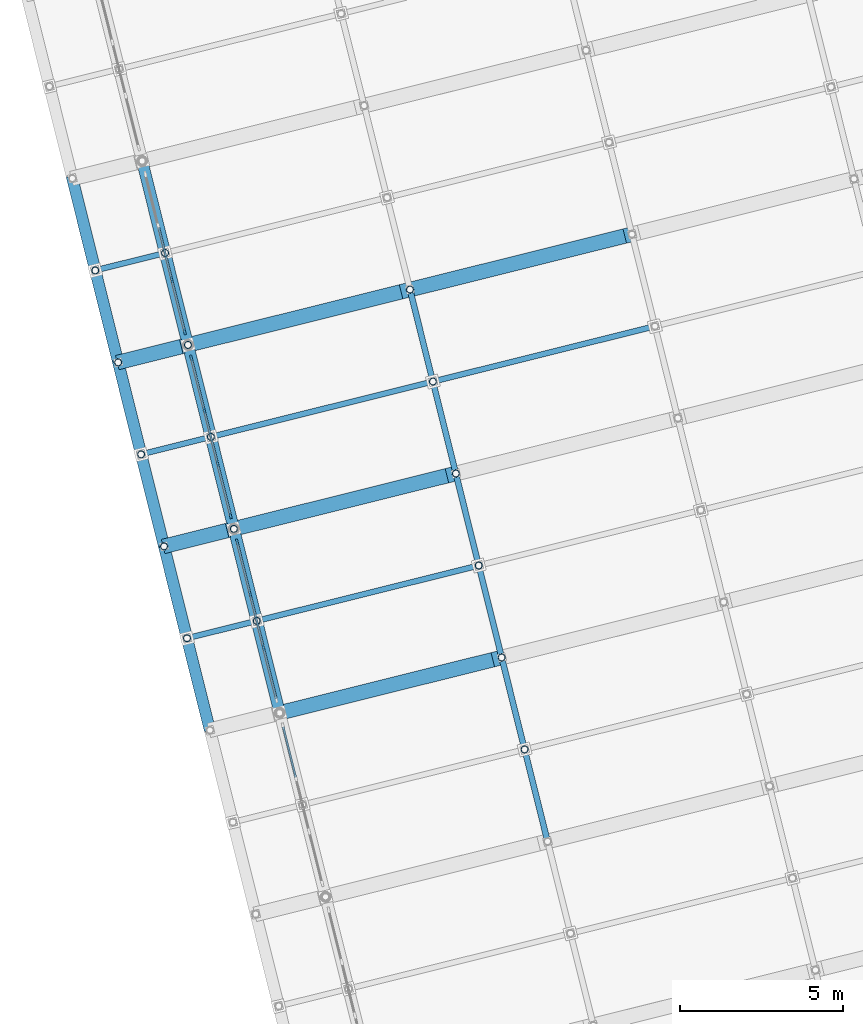
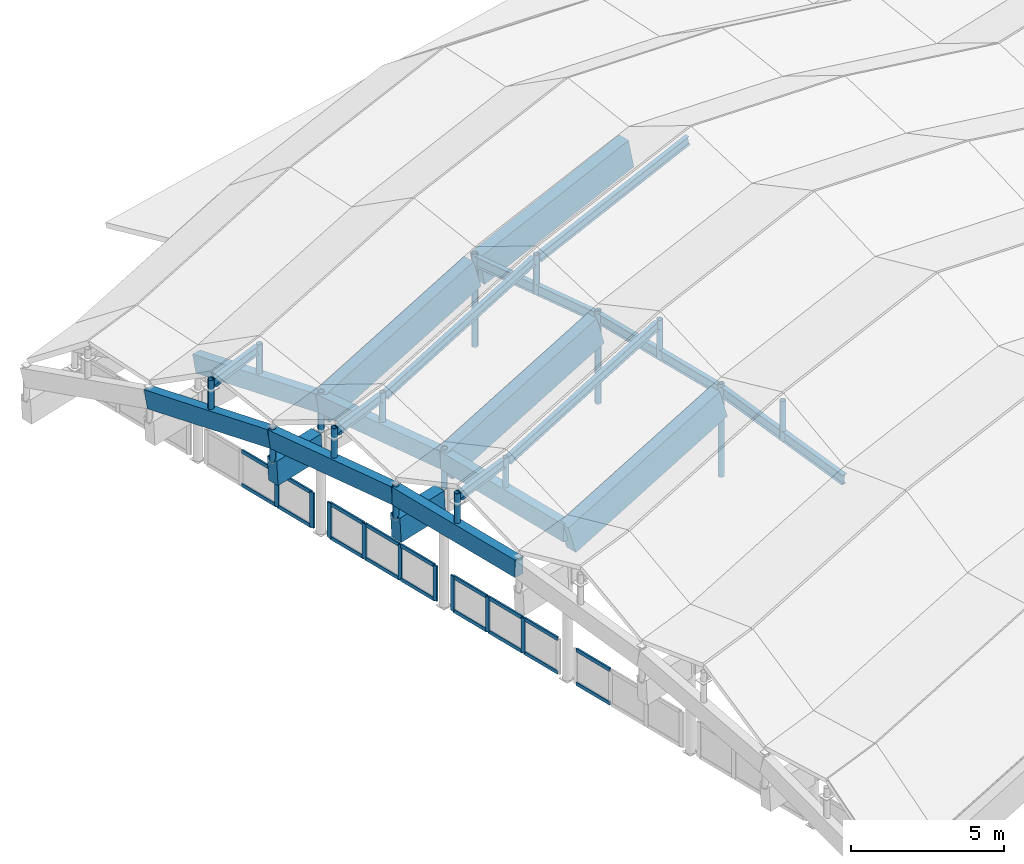
# One storey, part 20 of 65: 43 members, 21 beams, 4 elements without a shape of their own.
"""IFC4 building model written with IfcOpenShell, lengths in metres."""

from ifc_helpers import new_model, si_unit, direction, frame, origin, origin_2d, place, context, subcontext, project, spatial, rectangle, hollow_circle, i_section, extrude, material, material_profile, profile_set, type_object, element, aggregate, save


model = new_model("IFC4")

# Units and contexts
model_context = context("Model", 3, precision=1e-05, world=origin(), true_north=direction((0.0, 1.0)))
body_context = subcontext(model_context, "Body", "Model", "MODEL_VIEW")
ifc_project = project(units=[si_unit("LENGTHUNIT", "METRE"), si_unit("AREAUNIT", "SQUARE_METRE"), si_unit("VOLUMEUNIT", "CUBIC_METRE"), si_unit("PLANEANGLEUNIT", "RADIAN"), si_unit("MASSUNIT", "GRAM", prefix="KILO")], contexts=[model_context])

# Site, building, storey
site_placement = place(None, origin())
site = spatial("IfcSite", under=ifc_project, at=site_placement, CompositionType="ELEMENT")
building_placement = place(site_placement, origin())
building = spatial("IfcBuilding", under=site, at=building_placement, Name="Cinderway Yard Community Centre", CompositionType="ELEMENT")
storey_placement = place(building_placement, frame((0.0, 0.0, 24.300048828125)))
storey = spatial("IfcBuildingStorey", under=building, at=storey_placement, Name="RF", CompositionType="ELEMENT", Elevation=24.300048828125)

# Curtain wall, members
ifc_material_1 = material(Name="Aluminium 6063-T6", Category="aluminium")
curtain_wall_type = type_object("IfcCurtainWallType", Name="ENV-CW-TYPE-11", PredefinedType="USERDEFINED", material=ifc_material_1)
curtain_wall_1_placement = place(storey_placement, origin())
curtain_wall_1 = element("IfcCurtainWall", 1, at=curtain_wall_1_placement, inside=storey, type_object=curtain_wall_type, Name="Main Hall West Clerestory Curtain Wall ENV-CW-RF-HS-0040", ObjectType="GLAZED CURTAIN WALL", PredefinedType="USERDEFINED")
ifc_material_profile_1 = material_profile(ifc_material_1, rectangle(XDim=0.06494140625, YDim=0.179931640625, at=origin_2d()), Name="Aluminium 6063-T6")
ifc_profile_set_1 = profile_set([ifc_material_profile_1], Name="Aluminium 6063-T6")
member_type_1 = type_object("IfcMemberType", Name="ENV-CW-MULL-180", PredefinedType="MULLION", material=ifc_profile_set_1)
member_1_placement = place(storey_placement, frame((15.1015625, 43.9990234375, -11.400146484375), z_axis=(0.0, 0.0, 1.0), x_axis=(-0.970305690025, -0.241881929678, 0.0)))
member_1 = element("IfcMember", 2, at=member_1_placement, type_object=member_type_1, Name="CW-11 mullion 2", PredefinedType="MULLION", context=body_context, shape_type="SweptSolid", body=[
    extrude(rectangle(XDim=0.06494140625, YDim=0.179931640625, at=origin_2d()), origin(), (0.0, 0.0, 1.0), 1.400146484375),
])
member_2_placement = place(storey_placement, frame((14.6953125, 45.62890625, -11.400146484375), z_axis=(0.0, 0.0, 1.0), x_axis=(-0.970305690025, -0.241881929678, 0.0)))
member_2 = element("IfcMember", 3, at=member_2_placement, type_object=member_type_1, Name="CW-11 mullion 3", PredefinedType="MULLION", context=body_context, shape_type="SweptSolid", body=[
    extrude(rectangle(XDim=0.06494140625, YDim=0.179931640625, at=origin_2d()), origin(), (0.0, 0.0, 1.0), 1.400146484375),
])
member_3_placement = place(storey_placement, frame((14.296142578125, 47.22998046875, -11.400146484375), z_axis=(0.0, 0.0, 1.0), x_axis=(-0.970305690025, -0.241881929678, 0.0)))
member_3 = element("IfcMember", 4, at=member_3_placement, type_object=member_type_1, Name="CW-11 mullion 4", PredefinedType="MULLION", context=body_context, shape_type="SweptSolid", body=[
    extrude(rectangle(XDim=0.06494140625, YDim=0.179931640625, at=origin_2d()), origin(), (0.0, 0.0, 1.0), 1.400146484375),
])

curtain_wall_2_placement = place(storey_placement, origin())
curtain_wall_2 = element("IfcCurtainWall", 5, at=curtain_wall_2_placement, inside=storey, type_object=curtain_wall_type, Name="Main Hall West Clerestory Curtain Wall ENV-CW-RF-HS-0041", ObjectType="GLAZED CURTAIN WALL", PredefinedType="USERDEFINED")
member_4_placement = place(storey_placement, frame((14.09765625, 48.026123046875, -11.400146484375), z_axis=(0.0, 0.0, 1.0), x_axis=(-0.970294077356, -0.24192850896, 0.0)))
member_4 = element("IfcMember", 6, at=member_4_placement, type_object=member_type_1, Name="CW-11 mullion 1", PredefinedType="MULLION", context=body_context, shape_type="SweptSolid", body=[
    extrude(rectangle(XDim=0.06494140625, YDim=0.179931640625, at=origin_2d()), origin(), (0.0, 0.0, 1.0), 1.400146484375),
])
member_5_placement = place(storey_placement, frame((13.69873046875, 49.626708984375, -11.400146484375), z_axis=(0.0, 0.0, 1.0), x_axis=(-0.970294077356, -0.24192850896, 0.0)))
member_5 = element("IfcMember", 7, at=member_5_placement, type_object=member_type_1, Name="CW-11 mullion 2", PredefinedType="MULLION", context=body_context, shape_type="SweptSolid", body=[
    extrude(rectangle(XDim=0.06494140625, YDim=0.179931640625, at=origin_2d()), origin(), (0.0, 0.0, 1.0), 1.400146484375),
])
member_6_placement = place(storey_placement, frame((13.292236328125, 51.25634765625, -11.400146484375), z_axis=(0.0, 0.0, 1.0), x_axis=(-0.970294077356, -0.24192850896, 0.0)))
member_6 = element("IfcMember", 8, at=member_6_placement, type_object=member_type_1, Name="CW-11 mullion 3", PredefinedType="MULLION", context=body_context, shape_type="SweptSolid", body=[
    extrude(rectangle(XDim=0.06494140625, YDim=0.179931640625, at=origin_2d()), origin(), (0.0, 0.0, 1.0), 1.400146484375),
])
member_7_placement = place(storey_placement, frame((12.893310546875, 52.85693359375, -11.400146484375), z_axis=(0.0, 0.0, 1.0), x_axis=(-0.970294077356, -0.24192850896, 0.0)))
member_7 = element("IfcMember", 9, at=member_7_placement, type_object=member_type_1, Name="CW-11 mullion 4", PredefinedType="MULLION", context=body_context, shape_type="SweptSolid", body=[
    extrude(rectangle(XDim=0.06494140625, YDim=0.179931640625, at=origin_2d()), origin(), (0.0, 0.0, 1.0), 1.400146484375),
])

curtain_wall_3_placement = place(storey_placement, origin())
curtain_wall_3 = element("IfcCurtainWall", 10, at=curtain_wall_3_placement, inside=storey, type_object=curtain_wall_type, Name="Main Hall West Clerestory Curtain Wall ENV-CW-RF-HS-0042", ObjectType="GLAZED CURTAIN WALL", PredefinedType="USERDEFINED")
member_8_placement = place(storey_placement, frame((12.69482421875, 53.653076171875, -11.400146484375), z_axis=(0.0, 0.0, 1.0), x_axis=(-0.970305690025, -0.241881929678, 0.0)))
member_8 = element("IfcMember", 11, at=member_8_placement, type_object=member_type_1, Name="CW-11 mullion 1", PredefinedType="MULLION", context=body_context, shape_type="SweptSolid", body=[
    extrude(rectangle(XDim=0.06494140625, YDim=0.179931640625, at=origin_2d()), origin(), (0.0, 0.0, 1.0), 1.400146484375),
])
member_9_placement = place(storey_placement, frame((12.295654296875, 55.25390625, -11.400146484375), z_axis=(0.0, 0.0, 1.0), x_axis=(-0.970305690025, -0.241881929678, 0.0)))
member_9 = element("IfcMember", 12, at=member_9_placement, type_object=member_type_1, Name="CW-11 mullion 2", PredefinedType="MULLION", context=body_context, shape_type="SweptSolid", body=[
    extrude(rectangle(XDim=0.06494140625, YDim=0.179931640625, at=origin_2d()), origin(), (0.0, 0.0, 1.0), 1.400146484375),
])

curtain_wall_4_placement = place(storey_placement, origin())
curtain_wall_4 = element("IfcCurtainWall", 13, at=curtain_wall_4_placement, inside=storey, type_object=curtain_wall_type, Name="Main Hall West Clerestory Curtain Wall ENV-CW-RF-HS-0039", ObjectType="GLAZED CURTAIN WALL", PredefinedType="USERDEFINED")
ifc_material_profile_2 = material_profile(ifc_material_1, rectangle(XDim=0.06494140625, YDim=0.139892578125, at=origin_2d()), Name="Aluminium 6063-T6")
ifc_profile_set_2 = profile_set([ifc_material_profile_2], Name="Aluminium 6063-T6")
member_type_2 = type_object("IfcMemberType", Name="ENV-CW-TRAN-140", PredefinedType="USERDEFINED", material=ifc_profile_set_2)
member_10_placement = place(storey_placement, frame((16.091064453125, 40.030029296875, -11.3701171875), z_axis=(-0.241849083258, 0.97031387753, 0.0), x_axis=(-0.97031387753, -0.241849083258, 0.0)))
member_10 = element("IfcMember", 14, at=member_10_placement, type_object=member_type_2, Name="CW-11 transom 3.1", ObjectType="TRANSOM", PredefinedType="USERDEFINED", context=body_context, shape_type="SweptSolid", body=[
    extrude(rectangle(XDim=0.06494140625, YDim=0.139892578125, at=origin_2d()), origin(), (0.0, 0.0, 1.0), 1.58984375),
])
member_11_placement = place(storey_placement, frame((16.091064453125, 40.030029296875, -10.030029296875), z_axis=(-0.241849083258, 0.97031387753, 0.0), x_axis=(-0.97031387753, -0.241849083258, 0.0)))
member_11 = element("IfcMember", 15, at=member_11_placement, type_object=member_type_2, Name="CW-11 transom 3.2", ObjectType="TRANSOM", PredefinedType="USERDEFINED", context=body_context, shape_type="SweptSolid", body=[
    extrude(rectangle(XDim=0.06494140625, YDim=0.139892578125, at=origin_2d()), origin(), (0.0, 0.0, 1.0), 1.58984375),
])
aggregate(curtain_wall_4, [member_10, member_11])

# Member
member_12_placement = place(storey_placement, frame((15.493408203125, 42.42724609375, -11.3701171875), z_axis=(-0.241849083258, 0.97031387753, 0.0), x_axis=(-0.97031387753, -0.241849083258, 0.0)))
member_12 = element("IfcMember", 16, at=member_12_placement, type_object=member_type_2, Name="CW-11 transom 1.1", ObjectType="TRANSOM", PredefinedType="USERDEFINED", context=body_context, shape_type="SweptSolid", body=[
    extrude(rectangle(XDim=0.06494140625, YDim=0.139892578125, at=origin_2d()), origin(), (0.0, 0.0, 1.0), 1.58984375),
])

member_13_placement = place(storey_placement, frame((15.493408203125, 42.42724609375, -10.030029296875), z_axis=(-0.241849083258, 0.97031387753, 0.0), x_axis=(-0.97031387753, -0.241849083258, 0.0)))
member_13 = element("IfcMember", 17, at=member_13_placement, type_object=member_type_2, Name="CW-11 transom 1.2", ObjectType="TRANSOM", PredefinedType="USERDEFINED", context=body_context, shape_type="SweptSolid", body=[
    extrude(rectangle(XDim=0.06494140625, YDim=0.139892578125, at=origin_2d()), origin(), (0.0, 0.0, 1.0), 1.58984375),
])

member_14_placement = place(storey_placement, frame((15.094482421875, 44.028076171875, -11.3701171875), z_axis=(-0.241897251039, 0.970301870523, 0.0), x_axis=(-0.970301870523, -0.241897251039, 0.0)))
member_14 = element("IfcMember", 18, at=member_14_placement, type_object=member_type_2, Name="CW-11 transom 2.1", ObjectType="TRANSOM", PredefinedType="USERDEFINED", context=body_context, shape_type="SweptSolid", body=[
    extrude(rectangle(XDim=0.06494140625, YDim=0.139892578125, at=origin_2d()), origin(), (0.0, 0.0, 1.0), 1.619873046875),
])

member_15_placement = place(storey_placement, frame((15.094482421875, 44.028076171875, -10.030029296875), z_axis=(-0.241897251039, 0.970301870523, 0.0), x_axis=(-0.970301870523, -0.241897251039, 0.0)))
member_15 = element("IfcMember", 19, at=member_15_placement, type_object=member_type_2, Name="CW-11 transom 2.2", ObjectType="TRANSOM", PredefinedType="USERDEFINED", context=body_context, shape_type="SweptSolid", body=[
    extrude(rectangle(XDim=0.06494140625, YDim=0.139892578125, at=origin_2d()), origin(), (0.0, 0.0, 1.0), 1.619873046875),
])

member_16_placement = place(storey_placement, frame((14.68798828125, 45.658203125, -11.3701171875), z_axis=(-0.241885123134, 0.970304893941, 0.0), x_axis=(-0.970304893941, -0.241885123134, 0.0)))
member_16 = element("IfcMember", 20, at=member_16_placement, type_object=member_type_2, Name="CW-11 transom 3.1", ObjectType="TRANSOM", PredefinedType="USERDEFINED", context=body_context, shape_type="SweptSolid", body=[
    extrude(rectangle(XDim=0.06494140625, YDim=0.139892578125, at=origin_2d()), origin(), (0.0, 0.0, 1.0), 1.589599609375),
])

member_17_placement = place(storey_placement, frame((14.68798828125, 45.658203125, -10.030029296875), z_axis=(-0.241885123134, 0.970304893941, 0.0), x_axis=(-0.970304893941, -0.241885123134, 0.0)))
member_17 = element("IfcMember", 21, at=member_17_placement, type_object=member_type_2, Name="CW-11 transom 3.2", ObjectType="TRANSOM", PredefinedType="USERDEFINED", context=body_context, shape_type="SweptSolid", body=[
    extrude(rectangle(XDim=0.06494140625, YDim=0.139892578125, at=origin_2d()), origin(), (0.0, 0.0, 1.0), 1.589599609375),
])

aggregate(curtain_wall_1, [member_1, member_2, member_3, member_12, member_13, member_14, member_15, member_16, member_17])

member_18_placement = place(storey_placement, frame((14.090576171875, 48.05517578125, -11.3701171875), z_axis=(-0.242029707335, 0.970268839429, 0.0), x_axis=(-0.970268839429, -0.242029707335, 0.0)))
member_18 = element("IfcMember", 22, at=member_18_placement, type_object=member_type_2, Name="CW-11 transom 1.1", ObjectType="TRANSOM", PredefinedType="USERDEFINED", context=body_context, shape_type="SweptSolid", body=[
    extrude(rectangle(XDim=0.06494140625, YDim=0.139892578125, at=origin_2d()), origin(), (0.0, 0.0, 1.0), 1.58984375),
])

member_19_placement = place(storey_placement, frame((14.090576171875, 48.05517578125, -10.030029296875), z_axis=(-0.242029707335, 0.970268839429, 0.0), x_axis=(-0.970268839429, -0.242029707335, 0.0)))
member_19 = element("IfcMember", 23, at=member_19_placement, type_object=member_type_2, Name="CW-11 transom 1.2", ObjectType="TRANSOM", PredefinedType="USERDEFINED", context=body_context, shape_type="SweptSolid", body=[
    extrude(rectangle(XDim=0.06494140625, YDim=0.139892578125, at=origin_2d()), origin(), (0.0, 0.0, 1.0), 1.58984375),
])

member_20_placement = place(storey_placement, frame((13.69140625, 49.65576171875, -11.3701171875), z_axis=(-0.241932630828, 0.97029304962, 0.0), x_axis=(-0.97029304962, -0.241932630828, 0.0)))
member_20 = element("IfcMember", 24, at=member_20_placement, type_object=member_type_2, Name="CW-11 transom 2.1", ObjectType="TRANSOM", PredefinedType="USERDEFINED", context=body_context, shape_type="SweptSolid", body=[
    extrude(rectangle(XDim=0.06494140625, YDim=0.139892578125, at=origin_2d()), origin(), (0.0, 0.0, 1.0), 1.61962890625),
])

member_21_placement = place(storey_placement, frame((13.69140625, 49.65576171875, -10.030029296875), z_axis=(-0.241932630828, 0.97029304962, 0.0), x_axis=(-0.97029304962, -0.241932630828, 0.0)))
member_21 = element("IfcMember", 25, at=member_21_placement, type_object=member_type_2, Name="CW-11 transom 2.2", ObjectType="TRANSOM", PredefinedType="USERDEFINED", context=body_context, shape_type="SweptSolid", body=[
    extrude(rectangle(XDim=0.06494140625, YDim=0.139892578125, at=origin_2d()), origin(), (0.0, 0.0, 1.0), 1.61962890625),
])

member_22_placement = place(storey_placement, frame((13.28515625, 51.285400390625, -11.3701171875), z_axis=(-0.241885123134, 0.970304893941, 0.0), x_axis=(-0.970304893941, -0.241885123134, 0.0)))
member_22 = element("IfcMember", 26, at=member_22_placement, type_object=member_type_2, Name="CW-11 transom 3.1", ObjectType="TRANSOM", PredefinedType="USERDEFINED", context=body_context, shape_type="SweptSolid", body=[
    extrude(rectangle(XDim=0.06494140625, YDim=0.139892578125, at=origin_2d()), origin(), (0.0, 0.0, 1.0), 1.589599609375),
])

member_23_placement = place(storey_placement, frame((13.28515625, 51.285400390625, -10.030029296875), z_axis=(-0.241885123134, 0.970304893941, 0.0), x_axis=(-0.970304893941, -0.241885123134, 0.0)))
member_23 = element("IfcMember", 27, at=member_23_placement, type_object=member_type_2, Name="CW-11 transom 3.2", ObjectType="TRANSOM", PredefinedType="USERDEFINED", context=body_context, shape_type="SweptSolid", body=[
    extrude(rectangle(XDim=0.06494140625, YDim=0.139892578125, at=origin_2d()), origin(), (0.0, 0.0, 1.0), 1.589599609375),
])

aggregate(curtain_wall_2, [member_4, member_5, member_6, member_7, member_18, member_19, member_20, member_21, member_22, member_23])

member_24_placement = place(storey_placement, frame((12.6875, 53.68212890625, -11.3701171875), z_axis=(-0.241849083258, 0.97031387753, 0.0), x_axis=(-0.97031387753, -0.241849083258, 0.0)))
member_24 = element("IfcMember", 28, at=member_24_placement, type_object=member_type_2, Name="CW-11 transom 1.1", ObjectType="TRANSOM", PredefinedType="USERDEFINED", context=body_context, shape_type="SweptSolid", body=[
    extrude(rectangle(XDim=0.06494140625, YDim=0.139892578125, at=origin_2d()), origin(), (0.0, 0.0, 1.0), 1.58984375),
])

member_25_placement = place(storey_placement, frame((12.6875, 53.68212890625, -10.030029296875), z_axis=(-0.241849083258, 0.97031387753, 0.0), x_axis=(-0.97031387753, -0.241849083258, 0.0)))
member_25 = element("IfcMember", 29, at=member_25_placement, type_object=member_type_2, Name="CW-11 transom 1.2", ObjectType="TRANSOM", PredefinedType="USERDEFINED", context=body_context, shape_type="SweptSolid", body=[
    extrude(rectangle(XDim=0.06494140625, YDim=0.139892578125, at=origin_2d()), origin(), (0.0, 0.0, 1.0), 1.58984375),
])

member_26_placement = place(storey_placement, frame((12.288330078125, 55.283203125, -11.3701171875), z_axis=(-0.241897251039, 0.970301870523, 0.0), x_axis=(-0.970301870523, -0.241897251039, 0.0)))
member_26 = element("IfcMember", 30, at=member_26_placement, type_object=member_type_2, Name="CW-11 transom 2.1", ObjectType="TRANSOM", PredefinedType="USERDEFINED", context=body_context, shape_type="SweptSolid", body=[
    extrude(rectangle(XDim=0.06494140625, YDim=0.139892578125, at=origin_2d()), origin(), (0.0, 0.0, 1.0), 1.619873046875),
])

member_27_placement = place(storey_placement, frame((12.288330078125, 55.283203125, -10.030029296875), z_axis=(-0.241897251039, 0.970301870523, 0.0), x_axis=(-0.970301870523, -0.241897251039, 0.0)))
member_27 = element("IfcMember", 31, at=member_27_placement, type_object=member_type_2, Name="CW-11 transom 2.2", ObjectType="TRANSOM", PredefinedType="USERDEFINED", context=body_context, shape_type="SweptSolid", body=[
    extrude(rectangle(XDim=0.06494140625, YDim=0.139892578125, at=origin_2d()), origin(), (0.0, 0.0, 1.0), 1.619873046875),
])

aggregate(curtain_wall_3, [member_8, member_9, member_24, member_25, member_26, member_27])

# Beams
ifc_material_2 = material(Name="Concrete C35/45", Category="concrete")
ifc_material_profile_3 = material_profile(ifc_material_2, rectangle(XDim=0.35009765625, YDim=0.699951171875, at=origin_2d()), Name="Concrete C35/45")
ifc_profile_set_3 = profile_set([ifc_material_profile_3], Name="Concrete C35/45")
beam_type_1 = type_object("IfcBeamType", Name="STR-BM-RC350X700", PredefinedType="BEAM", material=ifc_profile_set_3)
beam_1_placement = place(storey_placement, frame((13.465087890625, 41.468017578125, -5.875), z_axis=(-0.241941244896, 0.97029090175, 0.0), x_axis=(-0.97029090175, -0.241941244896, 0.0)))
element("IfcBeam", 32, at=beam_1_placement, inside=storey, type_object=beam_type_1, Name="Folded-plate valley beam B4-UW22", PredefinedType="BEAM", context=body_context, shape_type="SweptSolid", body=[
    extrude(rectangle(XDim=0.35009765625, YDim=0.699951171875, at=origin_2d()), origin(), (0.0, 0.0, 1.0), 5.79931640625),
])
beam_2_placement = place(storey_placement, frame((15.60009765625, 42.0, -5.525146484375), z_axis=(-0.2419017199, 0.97030075642, 0.0), x_axis=(-0.97030075642, -0.2419017199, 0.0)))
element("IfcBeam", 33, at=beam_2_placement, inside=storey, type_object=beam_type_1, Name="Folded-plate valley beam B4-U00", PredefinedType="BEAM", context=body_context, shape_type="SweptSolid", body=[
    extrude(rectangle(XDim=0.35009765625, YDim=0.699951171875, at=origin_2d()), origin(), (0.0, 0.0, 1.0), 5.80029296875),
])
beam_3_placement = place(storey_placement, frame((12.06201171875, 47.094970703125, -5.875), z_axis=(-0.240387256299, 0.964226036576, -0.111723396829), x_axis=(-0.97030075642, -0.2419017199, 0.0)))
element("IfcBeam", 34, at=beam_3_placement, inside=storey, type_object=beam_type_1, Name="Folded-plate valley beam B5-UW22", PredefinedType="BEAM", context=body_context, shape_type="SweptSolid", body=[
    extrude(rectangle(XDim=0.35009765625, YDim=0.699951171875, at=origin_2d()), origin(), (0.0, 0.0, 1.0), 5.836669921875),
])
beam_4_placement = place(storey_placement, frame((14.197021484375, 47.6279296875, -5.525146484375), z_axis=(-0.240427167175, 0.964218783548, -0.111700110729), x_axis=(-0.97029090175, -0.241941244896, 0.0)))
element("IfcBeam", 35, at=beam_4_placement, inside=storey, type_object=beam_type_1, Name="Folded-plate valley beam B5-U00", PredefinedType="BEAM", context=body_context, shape_type="SweptSolid", body=[
    extrude(rectangle(XDim=0.35009765625, YDim=0.699951171875, at=origin_2d()), origin(), (0.0, 0.0, 1.0), 5.835693359375),
])
for number, where, z_axis, x_axis, name in (
    (36, (10.658935546875, 52.722900390625, -6.527099609375), (-0.235744652027, 0.945809513256, -0.223313285935), (-0.970313097527, -0.241852212657, 0.0), "Folded-plate valley beam B6-UW22"),
    (37, (12.7939453125, 53.2548828125, -6.177001953125), (-0.235742491963, 0.945800847062, -0.223352267011), (-0.970313097527, -0.241852212657, 0.0), "Folded-plate valley beam B6-U00"),
):
    element("IfcBeam", number, at=place(storey_placement, frame(where, z_axis=z_axis, x_axis=x_axis)), inside=storey, type_object=beam_type_1, Name=name, PredefinedType="BEAM", context=body_context, shape_type="SweptSolid", body=[
        extrude(rectangle(XDim=0.35009765625, YDim=0.699951171875, at=origin_2d()), origin(), (0.0, 0.0, 1.0), 5.95068359375),
    ])
ifc_material_3 = material(Name="Concrete C40/50", Category="concrete")
ifc_material_profile_4 = material_profile(ifc_material_3, rectangle(XDim=0.449951171875, YDim=1.0, at=origin_2d()), Name="Concrete C40/50")
ifc_profile_set_4 = profile_set([ifc_material_profile_4], Name="Concrete C40/50")
beam_type_2 = type_object("IfcBeamType", Name="STR-BM-RC450X1000", PredefinedType="BEAM", material=ifc_profile_set_4)
for number, where, z_axis, x_axis, name in (
    (38, (14.02197265625, 47.583984375, -7.10498046875), (-0.968545360356, -0.241653756452, -0.059357787406), (0.242080599731, -0.970256143105, 0.0), "Main Hall west folded-plate eave rib 05"),
    (39, (12.618896484375, 53.2119140625, -7.757080078125), (-0.9685522894, -0.24165548526, -0.059237565283), (0.242080599731, -0.970256143105, 0.0), "Main Hall west folded-plate eave rib 06"),
):
    element("IfcBeam", number, at=place(storey_placement, frame(where, z_axis=z_axis, x_axis=x_axis)), inside=storey, type_object=beam_type_2, Name=name, PredefinedType="BEAM", context=body_context, shape_type="SweptSolid", body=[
        extrude(rectangle(XDim=0.449951171875, YDim=1.0, at=origin_2d()), origin(), (0.0, 0.0, 1.0), 2.023681640625),
    ])
ifc_material_profile_5 = material_profile(ifc_material_3, rectangle(XDim=0.449951171875, YDim=1.199951171875, at=origin_2d()), Name="Concrete C40/50")
ifc_profile_set_5 = profile_set([ifc_material_profile_5], Name="Concrete C40/50")
beam_type_3 = type_object("IfcBeamType", Name="STR-BM-RC450X1200", PredefinedType="BEAM", material=ifc_profile_set_5)
for number, where, z_axis, x_axis, name in (
    (40, (15.60009765625, 42.0, -5.775146484375), (0.928193541251, 0.231421731035, 0.291377302454), (-0.241919030794, 0.970296440548, 0.0), "Main Hall arch rib segment 04.1"),
    (41, (14.197021484375, 47.6279296875, -5.775146484375), (0.928193541251, 0.231421731035, 0.291377302454), (-0.241919030794, 0.970296440548, 0.0), "Main Hall arch rib segment 05.1"),
    (42, (12.7939453125, 53.2548828125, -6.427001953125), (0.928195425248, 0.231456074035, 0.291344020603), (-0.241952367714, 0.970288128216, 0.0), "Main Hall arch rib segment 06.1"),
):
    element("IfcBeam", number, at=place(storey_placement, frame(where, z_axis=z_axis, x_axis=x_axis)), inside=storey, type_object=beam_type_3, Name=name, PredefinedType="BEAM", context=body_context, shape_type="SweptSolid", body=[
        extrude(rectangle(XDim=0.449951171875, YDim=1.199951171875, at=origin_2d()), origin(), (0.0, 0.0, 1.0), 7.20751953125),
    ])
beam_5_placement = place(storey_placement, frame((19.68798828125, 54.97412109375, -4.3271484375), z_axis=(0.950290534453, 0.236973947759, 0.201968433705), x_axis=(-0.241960257063, 0.970286160884, 0.0)))
element("IfcBeam", 43, at=beam_5_placement, inside=storey, type_object=beam_type_3, Name="Main Hall arch rib segment 06.2", PredefinedType="BEAM", context=body_context, shape_type="SweptSolid", body=[
    extrude(rectangle(XDim=0.449951171875, YDim=1.199951171875, at=origin_2d()), origin(), (0.0, 0.0, 1.0), 6.9326171875),
])
ifc_material_4 = material(Name="Steel S355", Category="steel")
ifc_material_profile_6 = material_profile(ifc_material_4, i_section(OverallWidth=0.172119140625, OverallDepth=0.35791015625, WebThickness=0.0078125, FlangeThickness=0.01318359375, FilletRadius=0.010986328125, at=origin_2d()), Name="Steel S355")
ifc_profile_set_6 = profile_set([ifc_material_profile_6], Name="Steel S355")
beam_type_4 = type_object("IfcBeamType", Name="STR-BM-W360X57", PredefinedType="JOIST", material=ifc_profile_set_6)
beam_6_placement = place(storey_placement, frame((12.865966796875, 44.306884765625, -4.530029296875), z_axis=(0.955656301756, 0.238128770008, 0.173250459762), x_axis=(-0.241785092876, 0.970329824783, 0.0)))
element("IfcBeam", 44, at=beam_6_placement, inside=storey, type_object=beam_type_4, Name="Folded-plate ridge beam B4.1", PredefinedType="JOIST", context=body_context, shape_type="SweptSolid", body=[
    extrude(i_section(OverallWidth=0.172119140625, OverallDepth=0.35791015625, WebThickness=0.0078125, FlangeThickness=0.01318359375, FilletRadius=0.010986328125, at=origin_2d()), origin(), (0.0, 0.0, 1.0), 2.020751953125),
])
beam_7_placement = place(storey_placement, frame((15.0, 44.839111328125, -4.179931640625), z_axis=(0.926990408588, 0.231120769921, 0.295418300206), x_axis=(-0.24191805497, 0.970296683844, 0.0)))
element("IfcBeam", 45, at=beam_7_placement, inside=storey, type_object=beam_type_4, Name="Folded-plate ridge beam B4.2", PredefinedType="JOIST", context=body_context, shape_type="SweptSolid", body=[
    extrude(i_section(OverallWidth=0.172119140625, OverallDepth=0.35791015625, WebThickness=0.0078125, FlangeThickness=0.01318359375, FilletRadius=0.010986328125, at=origin_2d()), origin(), (0.0, 0.0, 1.0), 7.108154296875),
])
beam_8_placement = place(storey_placement, frame((11.462890625, 49.93505859375, -4.85595703125), z_axis=(0.955661892221, 0.238129765706, 0.173218250892), x_axis=(-0.241784713038, 0.97032991943, 0.0)))
element("IfcBeam", 46, at=beam_8_placement, inside=storey, type_object=beam_type_4, Name="Folded-plate ridge beam B5.1", PredefinedType="JOIST", context=body_context, shape_type="SweptSolid", body=[
    extrude(i_section(OverallWidth=0.172119140625, OverallDepth=0.35791015625, WebThickness=0.0078125, FlangeThickness=0.01318359375, FilletRadius=0.010986328125, at=origin_2d()), origin(), (0.0, 0.0, 1.0), 2.019775390625),
])
beam_9_placement = place(storey_placement, frame((13.596923828125, 50.467041015625, -4.506103515625), z_axis=(0.926954306759, 0.231180377413, 0.295484934102), x_axis=(-0.241985666717, 0.970279824125, 0.0)))
element("IfcBeam", 47, at=beam_9_placement, inside=storey, type_object=beam_type_4, Name="Folded-plate ridge beam B5.2", PredefinedType="JOIST", context=body_context, shape_type="SweptSolid", body=[
    extrude(i_section(OverallWidth=0.172119140625, OverallDepth=0.35791015625, WebThickness=0.0078125, FlangeThickness=0.01318359375, FilletRadius=0.010986328125, at=origin_2d()), origin(), (0.0, 0.0, 1.0), 7.107177734375),
])
beam_10_placement = place(storey_placement, frame((20.388916015625, 52.159912109375, -2.406005859375), z_axis=(0.950306428843, 0.236969219538, 0.201899183482), x_axis=(-0.241951902048, 0.970288244335, 0.0)))
element("IfcBeam", 48, at=beam_10_placement, inside=storey, type_object=beam_type_4, Name="Folded-plate ridge beam B5.3", PredefinedType="JOIST", context=body_context, shape_type="SweptSolid", body=[
    extrude(i_section(OverallWidth=0.172119140625, OverallDepth=0.35791015625, WebThickness=0.0078125, FlangeThickness=0.01318359375, FilletRadius=0.010986328125, at=origin_2d()), origin(), (0.0, 0.0, 1.0), 6.93359375),
])
beam_11_placement = place(storey_placement, frame((10.05908203125, 55.56201171875, -5.84716796875), z_axis=(0.955563270228, 0.238498153424, 0.173255497472), x_axis=(-0.242160365848, 0.970236237837, 0.0)))
element("IfcBeam", 49, at=beam_11_placement, inside=storey, type_object=beam_type_4, Name="Folded-plate ridge beam B6.1", PredefinedType="JOIST", context=body_context, shape_type="SweptSolid", body=[
    extrude(i_section(OverallWidth=0.172119140625, OverallDepth=0.35791015625, WebThickness=0.0078125, FlangeThickness=0.01318359375, FilletRadius=0.010986328125, at=origin_2d()), origin(), (0.0, 0.0, 1.0), 2.020751953125),
])
ifc_material_profile_7 = material_profile(ifc_material_4, i_section(OverallWidth=0.178955078125, OverallDepth=0.409912109375, WebThickness=0.0087890625, FlangeThickness=0.013427734375, FilletRadius=0.011962890625, at=origin_2d()), Name="Steel S355")
ifc_profile_set_7 = profile_set([ifc_material_profile_7], Name="Steel S355")
beam_type_5 = type_object("IfcBeamType", Name="STR-BM-W410X67", PredefinedType="JOIST", material=ifc_profile_set_7)
beam_12_placement = place(storey_placement, frame((23.794921875, 38.06591796875, -3.93212890625), z_axis=(-0.240376929548, 0.964226914227, 0.111738040171), x_axis=(-0.970303247192, -0.241891728854, 0.0)))
element("IfcBeam", 50, at=beam_12_placement, inside=storey, type_object=beam_type_5, Name="Folded-plate valley beam B3-U07", PredefinedType="JOIST", context=body_context, shape_type="SweptSolid", body=[
    extrude(i_section(OverallWidth=0.178955078125, OverallDepth=0.409912109375, WebThickness=0.0087890625, FlangeThickness=0.013427734375, FilletRadius=0.011962890625, at=origin_2d()), origin(), (0.0, 0.0, 1.0), 5.8359375),
])
beam_13_placement = place(storey_placement, frame((22.39208984375, 43.693115234375, -3.280029296875), z_axis=(-0.2419017199, 0.97030075642, 0.0), x_axis=(-0.97030075642, -0.2419017199, 0.0)))
element("IfcBeam", 51, at=beam_13_placement, inside=storey, type_object=beam_type_5, Name="Folded-plate valley beam B4-U07", PredefinedType="JOIST", context=body_context, shape_type="SweptSolid", body=[
    extrude(i_section(OverallWidth=0.178955078125, OverallDepth=0.409912109375, WebThickness=0.0087890625, FlangeThickness=0.013427734375, FilletRadius=0.011962890625, at=origin_2d()), origin(), (0.0, 0.0, 1.0), 5.80029296875),
])
beam_14_placement = place(storey_placement, frame((20.989013671875, 49.321044921875, -3.280029296875), z_axis=(-0.240387256299, 0.964226036576, -0.111723396829), x_axis=(-0.97030075642, -0.2419017199, 0.0)))
element("IfcBeam", 52, at=beam_14_placement, inside=storey, type_object=beam_type_5, Name="Folded-plate valley beam B5-U07", PredefinedType="JOIST", context=body_context, shape_type="SweptSolid", body=[
    extrude(i_section(OverallWidth=0.178955078125, OverallDepth=0.409912109375, WebThickness=0.0087890625, FlangeThickness=0.013427734375, FilletRadius=0.011962890625, at=origin_2d()), origin(), (0.0, 0.0, 1.0), 5.836669921875),
])

# Members
ifc_material_profile_8 = material_profile(ifc_material_4, hollow_circle(Radius=0.109619140625, WallThickness=0.010009765625, at=origin_2d()), Name="Steel S355")
ifc_profile_set_8 = profile_set([ifc_material_profile_8], Name="Steel S355")
member_type_3 = type_object("IfcMemberType", Name="STR-MEM-STRUT-CHS219", PredefinedType="STRUT", material=ifc_profile_set_8)
member_28_placement = place(storey_placement, frame((22.39208984375, 43.693115234375, -6.705078125), z_axis=(0.0, 0.0, 1.0), x_axis=(1.0, 0.0, 0.0)))
element("IfcMember", 53, at=member_28_placement, inside=storey, type_object=member_type_3, Name="Arch rib web post 04-07", PredefinedType="STRUT", context=body_context, shape_type="SweptSolid", body=[
    extrude(hollow_circle(Radius=0.109619140625, WallThickness=0.010009765625, at=origin_2d()), origin(), (0.0, 0.0, 1.0), 3.7099609375),
])
member_29_placement = place(storey_placement, frame((12.06201171875, 47.094970703125, -6.824951171875), z_axis=(0.0, 0.0, 1.0), x_axis=(1.0, 0.0, 0.0)))
element("IfcMember", 54, at=member_29_placement, inside=storey, type_object=member_type_3, Name="Arch rib web post 05-W22", PredefinedType="STRUT", context=body_context, shape_type="SweptSolid", body=[
    extrude(hollow_circle(Radius=0.109619140625, WallThickness=0.010009765625, at=origin_2d()), origin(), (0.0, 0.0, 1.0), 1.3798828125),
])
member_30_placement = place(storey_placement, frame((14.197021484375, 47.6279296875, -6.705078125), z_axis=(0.0, 0.0, 1.0), x_axis=(1.0, 0.0, 0.0)))
element("IfcMember", 55, at=member_30_placement, inside=storey, type_object=member_type_3, Name="Arch rib web post 05-00", PredefinedType="STRUT", context=body_context, shape_type="SweptSolid", body=[
    extrude(hollow_circle(Radius=0.109619140625, WallThickness=0.010009765625, at=origin_2d()), origin(), (0.0, 0.0, 1.0), 1.610107421875),
])
member_31_placement = place(storey_placement, frame((20.989013671875, 49.321044921875, -6.705078125), z_axis=(0.0, 0.0, 1.0), x_axis=(1.0, 0.0, 0.0)))
element("IfcMember", 56, at=member_31_placement, inside=storey, type_object=member_type_3, Name="Arch rib web post 05-07", PredefinedType="STRUT", context=body_context, shape_type="SweptSolid", body=[
    extrude(hollow_circle(Radius=0.109619140625, WallThickness=0.010009765625, at=origin_2d()), origin(), (0.0, 0.0, 1.0), 3.7099609375),
])
member_32_placement = place(storey_placement, frame((10.658935546875, 52.722900390625, -7.47705078125), z_axis=(0.0, 0.0, 1.0), x_axis=(1.0, 0.0, 0.0)))
element("IfcMember", 57, at=member_32_placement, inside=storey, type_object=member_type_3, Name="Arch rib web post 06-W22", PredefinedType="STRUT", context=body_context, shape_type="SweptSolid", body=[
    extrude(hollow_circle(Radius=0.109619140625, WallThickness=0.010009765625, at=origin_2d()), origin(), (0.0, 0.0, 1.0), 1.3798828125),
])
member_33_placement = place(storey_placement, frame((12.7939453125, 53.2548828125, -7.35693359375), z_axis=(0.0, 0.0, 1.0), x_axis=(1.0, 0.0, 0.0)))
element("IfcMember", 58, at=member_33_placement, inside=storey, type_object=member_type_3, Name="Arch rib web post 06-00", PredefinedType="STRUT", context=body_context, shape_type="SweptSolid", body=[
    extrude(hollow_circle(Radius=0.109619140625, WallThickness=0.010009765625, at=origin_2d()), origin(), (0.0, 0.0, 1.0), 1.60986328125),
])
member_34_placement = place(storey_placement, frame((19.5859375, 54.948974609375, -7.35693359375), z_axis=(0.0, 0.0, 1.0), x_axis=(1.0, 0.0, 0.0)))
element("IfcMember", 59, at=member_34_placement, inside=storey, type_object=member_type_3, Name="Arch rib web post 06-07", PredefinedType="STRUT", context=body_context, shape_type="SweptSolid", body=[
    extrude(hollow_circle(Radius=0.109619140625, WallThickness=0.010009765625, at=origin_2d()), origin(), (0.0, 0.0, 1.0), 3.7099609375),
])
for number, where, z_axis, x_axis, name in (
    (60, (23.093994140625, 40.8798828125, -3.801025390625), (0.0, 0.0, 1.0), (1.0, 0.0, 0.0), "Folded-plate ridge kingpost B3-U07"),
    (61, (12.763916015625, 44.281982421875, -5.925048828125), (0.0, 0.0, 1.0), (1.0, 0.0, 0.0), "Folded-plate ridge kingpost B4-UW22"),
    (62, (14.89794921875, 44.81396484375, -5.574951171875), (0.0, 0.0, 1.0), (1.0, 0.0, 0.0), "Folded-plate ridge kingpost B4-U00"),
    (63, (21.68994140625, 46.507080078125, -3.47509765625), (0.0, 0.0, 1.0), (1.0, 0.0, 0.0), "Folded-plate ridge kingpost B4-U07"),
    (64, (11.361083984375, 49.908935546875, -6.2509765625), (0.0, 0.0, 1.0), (1.0, 0.0, 0.0), "Folded-plate ridge kingpost B5-UW22"),
    (65, (13.4951171875, 50.44189453125, -5.901123046875), (0.0, 0.0, 1.0), (1.0, 0.0, 0.0), "Folded-plate ridge kingpost B5-U00"),
    (66, (20.287109375, 52.135009765625, -3.801025390625), (0.0, 0.0, 1.0), (1.0, 0.0, 0.0), "Folded-plate ridge kingpost B5-U07"),
    (67, (9.95703125, 55.537109375, -7.241943359375), (0.0, 0.0, 1.0), (1.0, 0.0, 0.0), "Folded-plate ridge kingpost B6-UW22"),
    (68, (12.092041015625, 56.069091796875, -6.89208984375), (0.0, 0.0, 1.0), (1.0, 0.0, 0.0), "Folded-plate ridge kingpost B6-U00"),
):
    element("IfcMember", number, at=place(storey_placement, frame(where, z_axis=z_axis, x_axis=x_axis)), inside=storey, type_object=member_type_3, Name=name, PredefinedType="STRUT", context=body_context, shape_type="SweptSolid", body=[
        extrude(hollow_circle(Radius=0.109619140625, WallThickness=0.010009765625, at=origin_2d()), origin(), (0.0, 0.0, 1.0), 1.583984375),
    ])

save(model, "model.ifc")
